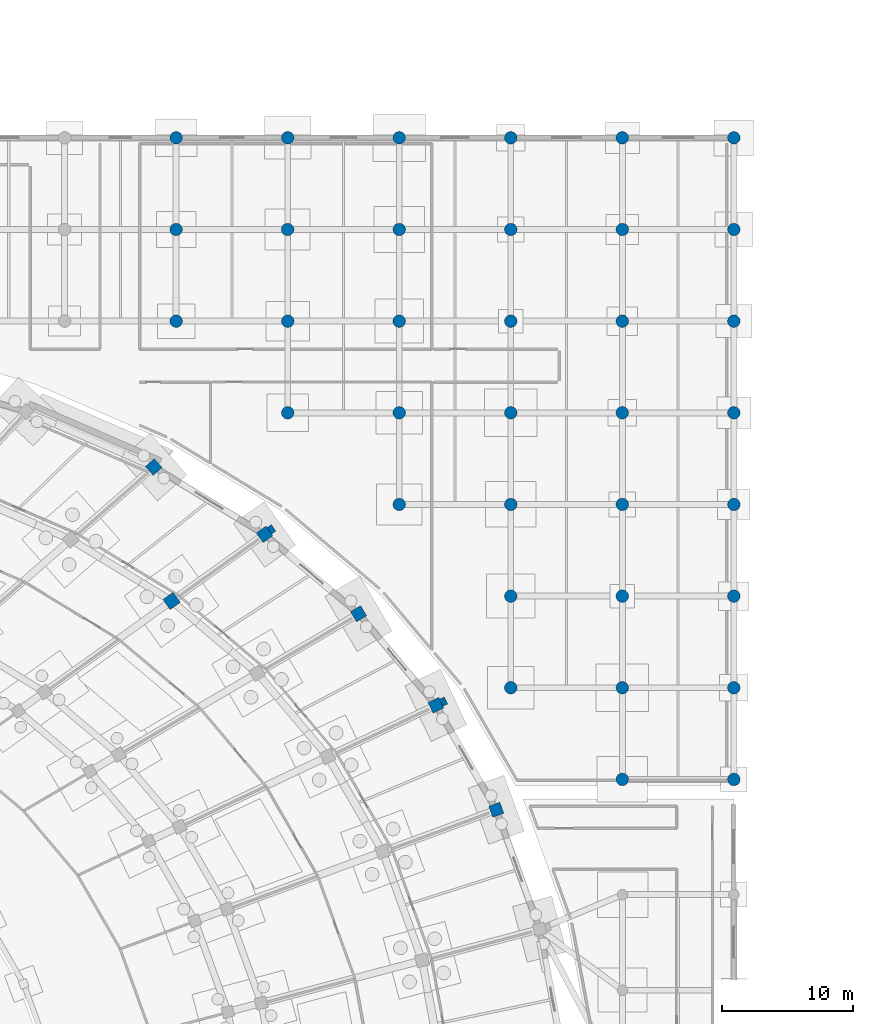
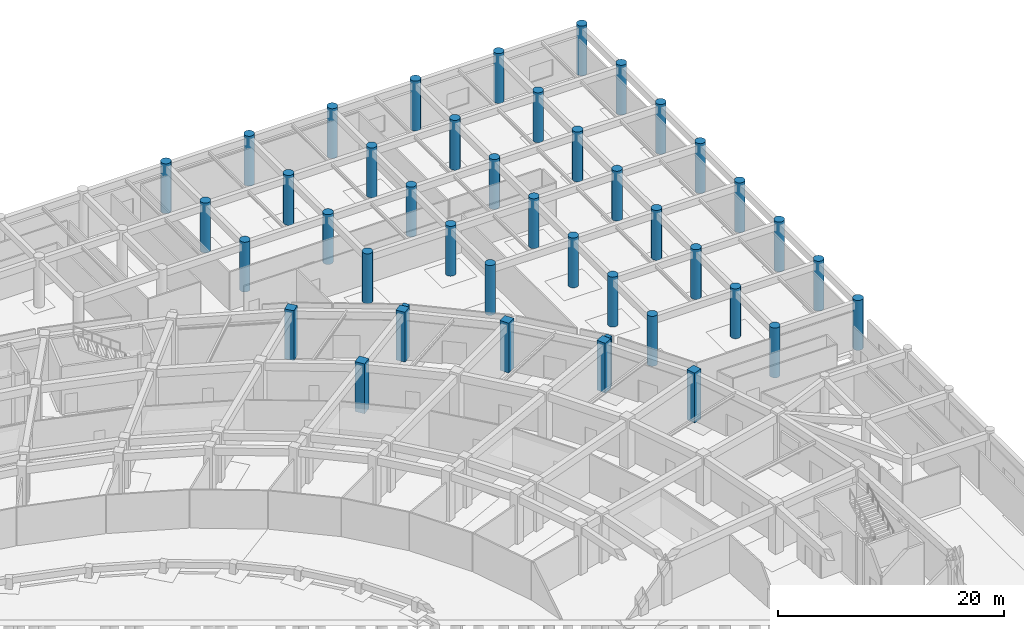
# One storey, part 24 of 88: 43 columns.
"""IFC4 building model written with IfcOpenShell, lengths in metres."""

import ifcopenshell
import ifcopenshell.guid

model = None  # the IFC model being written
_history = None  # IfcOwnerHistory: only IFC2X3 demands one
_inside = {}  # id of a spatial element -> (the spatial element, [elements in it])
_under = {}  # id of a project, library or spatial element -> (it, [spatial elements below it])
_declared = {}  # id of a project -> (the project, [libraries it declares])
_typed = {}  # id of a type object -> (the type object, [elements of that type])
_made_of = {}  # id of a material, layer set ... -> (it, [elements and type objects made of it])


def new_model(schema):
    """Start an empty IFC model of exactly this schema.

    Asked for "IFC4X3", IfcOpenShell would pick the latest addendum, in which some entities
    have other attributes; the version numbers below select the first issue.
    IFC2X3 requires an IfcOwnerHistory on every rooted entity: one is made here for all.
    """
    global model, _history
    if schema == "IFC4X3":
        model = ifcopenshell.file(schema_version=(4, 3, 0, 0))
    else:
        model = ifcopenshell.file(schema=schema)
    _inside.clear()
    _under.clear()
    _declared.clear()
    _typed.clear()
    _made_of.clear()
    _history = None
    if model.schema == "IFC2X3":
        org = make("IfcOrganization", Name="unknown")
        user = make(
            "IfcPersonAndOrganization",
            ThePerson=make("IfcPerson", FamilyName="unknown"),
            TheOrganization=org,
        )
        app = make(
            "IfcApplication",
            ApplicationDeveloper=org,
            Version="unknown",
            ApplicationFullName="unknown",
            ApplicationIdentifier="unknown",
        )
        _history = make(
            "IfcOwnerHistory",
            OwningUser=user,
            OwningApplication=app,
            ChangeAction="ADDED",
            CreationDate=0,
        )
    return model


def make(cls, **values):
    """One entity of the class cls with the attributes given. An attribute that is None is left unset."""
    return model.create_entity(
        cls, **{name: value for name, value in values.items() if value is not None}
    )


def rooted(cls, **values):
    """An entity with a GlobalId (a new one), such as an element, a storey or a relation."""
    return make(cls, GlobalId=ifcopenshell.guid.new(), OwnerHistory=_history, **values)


def si_unit(unit_type, name, prefix=None):
    """IfcSIUnit, for example si_unit("LENGTHUNIT", "METRE", prefix="MILLI")."""
    return make("IfcSIUnit", UnitType=unit_type, Prefix=prefix, Name=name)


def assignment(units):
    """IfcUnitAssignment: the units of a project."""
    return None if units is None else make("IfcUnitAssignment", Units=units)


def point(xyz):
    """IfcCartesianPoint."""
    return None if xyz is None else make("IfcCartesianPoint", Coordinates=xyz)


def direction(xyz):
    """IfcDirection."""
    return None if xyz is None else make("IfcDirection", DirectionRatios=xyz)


def frame(location, z_axis=None, x_axis=None):
    """IfcAxis2Placement3D, a coordinate frame: its origin and axes. An axis left out is left unset."""
    return make(
        "IfcAxis2Placement3D",
        Location=point(location),
        Axis=direction(z_axis),
        RefDirection=direction(x_axis),
    )


def frame_2d(location, x_axis=None):
    """IfcAxis2Placement2D, a coordinate frame in the plane: its origin and x axis."""
    return make(
        "IfcAxis2Placement2D", Location=point(location), RefDirection=direction(x_axis)
    )


def origin():
    """The frame at (0, 0, 0) with its axes left unset."""
    return frame((0.0, 0.0, 0.0))


def origin_2d():
    """The frame at (0, 0) in the plane with its x axis left unset."""
    return frame_2d((0.0, 0.0))


def place(relative_to, where):
    """IfcLocalPlacement: puts the frame where relative to a parent placement (None: the world)."""
    return make(
        "IfcLocalPlacement", PlacementRelTo=relative_to, RelativePlacement=where
    )


def context(
    kind, dimensions, precision=None, world=None, true_north=None, identifier=None
):
    """IfcGeometricRepresentationContext, for example the 3D "Model" context."""
    return make(
        "IfcGeometricRepresentationContext",
        ContextIdentifier=identifier,
        ContextType=kind,
        CoordinateSpaceDimension=dimensions,
        Precision=precision,
        WorldCoordinateSystem=world,
        TrueNorth=true_north,
    )


def subcontext(parent, identifier, kind, view, scale=None):
    """IfcGeometricRepresentationSubContext, for example "Body" below "Model"."""
    return make(
        "IfcGeometricRepresentationSubContext",
        ContextIdentifier=identifier,
        ContextType=kind,
        ParentContext=parent,
        TargetScale=scale,
        TargetView=view,
    )


def project(units=None, contexts=None):
    """IfcProject with its units and contexts."""
    return rooted(
        "IfcProject",
        Name="project",
        RepresentationContexts=contexts,
        UnitsInContext=assignment(units),
    )


def spatial(cls, under=None, at=None, **own):
    """A site, building, storey or space (cls), placed at a placement, below another one or the project."""
    s = rooted(cls, ObjectPlacement=at, **own)
    if under is not None:
        _under.setdefault(under.id(), (under, []))[1].append(s)
    return s


def profile(cls, at=None, kind="AREA", **sizes):
    """A parametric profile (cls). Its sizes go by their IFC names, for example OverallWidth=200.0."""
    return make(cls, ProfileType=kind, Position=at, **sizes)


def rectangle(**sizes):
    """IfcRectangleProfileDef."""
    return profile("IfcRectangleProfileDef", **sizes)


def circle(**sizes):
    """IfcCircleProfileDef."""
    return profile("IfcCircleProfileDef", **sizes)


def extrude(swept, where, along, depth):
    """IfcExtrudedAreaSolid: the profile swept, set in the frame where, extruded along a direction by depth."""
    return make(
        "IfcExtrudedAreaSolid",
        SweptArea=swept,
        Position=where,
        ExtrudedDirection=direction(along),
        Depth=depth,
    )


def shape(context_of_items, identifier, shape_type, items):
    """IfcShapeRepresentation: the items that make up one representation, for example the "Body"."""
    return make(
        "IfcShapeRepresentation",
        ContextOfItems=context_of_items,
        RepresentationIdentifier=identifier,
        RepresentationType=shape_type,
        Items=items,
    )


def material(Name=None, Category=None):
    """IfcMaterial."""
    return make("IfcMaterial", Name=Name, Category=Category)


def material_profile(
    of_material, cross_section, Name=None, Category=None, Priority=None
):
    """IfcMaterialProfile: a cross section and its material."""
    return make(
        "IfcMaterialProfile",
        Name=Name,
        Material=of_material,
        Profile=cross_section,
        Priority=Priority,
        Category=Category,
    )


def profile_set(profiles, Name=None, composite=None):
    """IfcMaterialProfileSet."""
    return make(
        "IfcMaterialProfileSet",
        Name=Name,
        MaterialProfiles=profiles,
        CompositeProfile=composite,
    )


def made_of(thing, what):
    """Note that an element or type object is made of a material, layer set ...; save() writes the relation."""
    if what is not None:
        _made_of.setdefault(what.id(), (what, []))[1].append(thing)
    return thing


def type_object(cls, material=None, **own):
    """A type object (cls), such as IfcWallType, which elements share."""
    return made_of(rooted(cls, **own), material)


def element(
    cls,
    number,
    at=None,
    inside=None,
    cuts=None,
    type_object=None,
    material=None,
    context=None,
    identifier="Body",
    shape_type=None,
    held_by="IfcProductDefinitionShape",
    body=None,
    shapes=None,
    **own,
):
    """One element of the class cls, such as IfcWall. Its Tag is "e" and its number.

    at: its placement. inside: the storey or other place that contains it. cuts: it is an
    opening in that element (IfcRelVoidsElement). A single representation is given by context,
    identifier, shape_type and body (its items); several are given by shapes. held_by: the class
    of the entity that holds the representations. save() writes the other relations.
    """
    e = rooted(cls, Tag="e%d" % number, ObjectPlacement=at, **own)
    if body is not None:
        shapes = [shape(context, identifier, shape_type, body)]
    if shapes is not None:
        e.Representation = make(held_by, Representations=shapes)
    if inside is not None:
        _inside.setdefault(inside.id(), (inside, []))[1].append(e)
    if cuts is not None:
        rooted(
            "IfcRelVoidsElement", RelatingBuildingElement=cuts, RelatedOpeningElement=e
        )
    if type_object is not None:
        _typed.setdefault(type_object.id(), (type_object, []))[1].append(e)
    return made_of(e, material)


def aggregate(whole, parts):
    """IfcRelAggregates: a whole, such as a stair, and the parts it consists of."""
    return rooted("IfcRelAggregates", RelatingObject=whole, RelatedObjects=parts)


def save(model, path):
    """Write the relations noted so far, then the file.

    IfcRelAggregates (storeys below a building ...), IfcRelContainedInSpatialStructure (elements
    in a storey), IfcRelDefinesByType, IfcRelAssociatesMaterial and IfcRelDeclares: one each for
    every whole, place, type object, material and project.
    """
    for whole, parts in _under.values():
        aggregate(whole, parts)
    for where, things in _inside.values():
        rooted(
            "IfcRelContainedInSpatialStructure",
            RelatedElements=things,
            RelatingStructure=where,
        )
    for kind, things in _typed.values():
        rooted("IfcRelDefinesByType", RelatedObjects=things, RelatingType=kind)
    for what, things in _made_of.values():
        rooted("IfcRelAssociatesMaterial", RelatedObjects=things, RelatingMaterial=what)
    for by, libraries in _declared.values():
        rooted("IfcRelDeclares", RelatingContext=by, RelatedDefinitions=libraries)
    model.write(path)


model = new_model("IFC4")

# Units and contexts
model_context = context("Model", 3, precision=1e-05, world=origin(), true_north=direction((0.0, 1.0)))
body_context = subcontext(model_context, "Body", "Model", "MODEL_VIEW")
ifc_project = project(units=[si_unit("LENGTHUNIT", "METRE"), si_unit("AREAUNIT", "SQUARE_METRE"), si_unit("VOLUMEUNIT", "CUBIC_METRE"), si_unit("PLANEANGLEUNIT", "RADIAN"), si_unit("MASSUNIT", "GRAM", prefix="KILO")], contexts=[model_context])

# Site, building, storey
site_placement = place(None, origin())
site = spatial("IfcSite", under=ifc_project, at=site_placement, CompositionType="ELEMENT")
building_placement = place(site_placement, origin())
building = spatial("IfcBuilding", under=site, at=building_placement, Name="Mphavela Belvedere Stadium", CompositionType="ELEMENT")
storey_placement = place(building_placement, origin())
storey = spatial("IfcBuildingStorey", under=building, at=storey_placement, Name="L00", CompositionType="ELEMENT", Elevation=0.0)

# Columns
ifc_material_1 = material(Name="Concrete C40/50", Category="concrete")
ifc_material_profile_1 = material_profile(ifc_material_1, circle(Radius=0.47509765625, at=origin_2d()), Name="COL D950")
ifc_profile_set_1 = profile_set([ifc_material_profile_1], Name="Concrete C40/50")
column_type_1 = type_object("IfcColumnType", Name="COL-DORIC-950", PredefinedType="COLUMN", material=ifc_profile_set_1)
for number, where, z_axis, x_axis, name in (
    (1, (187.406982421875, 160.0, 0.0), (0.0, 0.0, 1.0), (1.0, 0.0, 0.0), "North Mast and Ceremonial End Forecourt classical column L00 23-6"),
    (2, (187.406982421875, 167.0, 0.0), (0.0, 0.0, 1.0), (1.0, 0.0, 0.0), "North Mast and Ceremonial End Forecourt classical column L00 23-7"),
    (3, (187.406982421875, 174.0, 0.0), (0.0, 0.0, 1.0), (1.0, 0.0, 0.0), "North Mast and Ceremonial End Forecourt classical column L00 23-8"),
    (4, (195.926025390625, 153.0, 0.0), (0.0, 0.0, 1.0), (1.0, 0.0, 0.0), "North Mast and Ceremonial End Forecourt classical column L00 24-5"),
    (5, (195.926025390625, 160.0, 0.0), (0.0, 0.0, 1.0), (1.0, 0.0, 0.0), "North Mast and Ceremonial End Forecourt classical column L00 24-6"),
    (6, (195.926025390625, 167.0, 0.0), (0.0, 0.0, 1.0), (1.0, 0.0, 0.0), "North Mast and Ceremonial End Forecourt classical column L00 24-7"),
    (7, (195.926025390625, 174.0, 0.0), (0.0, 0.0, 1.0), (1.0, 0.0, 0.0), "North Mast and Ceremonial End Forecourt classical column L00 24-8"),
    (8, (204.444091796875, 146.0, 0.0), (0.0, 0.0, 1.0), (1.0, 0.0, 0.0), "North Mast and Ceremonial End Forecourt classical column L00 25-4"),
    (9, (204.444091796875, 153.0, 0.0), (0.0, 0.0, 1.0), (1.0, 0.0, 0.0), "North Mast and Ceremonial End Forecourt classical column L00 25-5"),
    (10, (204.444091796875, 160.0, 0.0), (0.0, 0.0, 1.0), (1.0, 0.0, 0.0), "North Mast and Ceremonial End Forecourt classical column L00 25-6"),
    (11, (204.444091796875, 167.0, 0.0), (0.0, 0.0, 1.0), (1.0, 0.0, 0.0), "North Mast and Ceremonial End Forecourt classical column L00 25-7"),
    (12, (204.444091796875, 174.0, 0.0), (0.0, 0.0, 1.0), (1.0, 0.0, 0.0), "North Mast and Ceremonial End Forecourt classical column L00 25-8"),
    (13, (212.962890625, 132.0, 0.0), (0.0, 0.0, 1.0), (1.0, 0.0, 0.0), "North Mast and Ceremonial End Forecourt classical column L00 26-2"),
    (14, (212.962890625, 139.0, 0.0), (0.0, 0.0, 1.0), (1.0, 0.0, 0.0), "North Mast and Ceremonial End Forecourt classical column L00 26-3"),
    (15, (212.962890625, 146.0, 0.0), (0.0, 0.0, 1.0), (1.0, 0.0, 0.0), "North Mast and Ceremonial End Forecourt classical column L00 26-4"),
    (16, (212.962890625, 153.0, 0.0), (0.0, 0.0, 1.0), (1.0, 0.0, 0.0), "North Mast and Ceremonial End Forecourt classical column L00 26-5"),
    (17, (212.962890625, 160.0, 0.0), (0.0, 0.0, 1.0), (1.0, 0.0, 0.0), "North Mast and Ceremonial End Forecourt classical column L00 26-6"),
    (18, (212.962890625, 167.0, 0.0), (0.0, 0.0, 1.0), (1.0, 0.0, 0.0), "North Mast and Ceremonial End Forecourt classical column L00 26-7"),
    (19, (212.962890625, 174.0, 0.0), (0.0, 0.0, 1.0), (1.0, 0.0, 0.0), "North Mast and Ceremonial End Forecourt classical column L00 26-8"),
    (20, (221.48095703125, 125.0, 0.0), (0.0, 0.0, 1.0), (1.0, 0.0, 0.0), "North Mast and Ceremonial End Forecourt classical column L00 27-1"),
    (21, (221.48095703125, 132.0, 0.0), (0.0, 0.0, 1.0), (1.0, 0.0, 0.0), "North Mast and Ceremonial End Forecourt classical column L00 27-2"),
    (22, (221.48095703125, 139.0, 0.0), (0.0, 0.0, 1.0), (1.0, 0.0, 0.0), "North Mast and Ceremonial End Forecourt classical column L00 27-3"),
    (23, (221.48095703125, 146.0, 0.0), (0.0, 0.0, 1.0), (1.0, 0.0, 0.0), "North Mast and Ceremonial End Forecourt classical column L00 27-4"),
    (24, (221.48095703125, 153.0, 0.0), (0.0, 0.0, 1.0), (1.0, 0.0, 0.0), "North Mast and Ceremonial End Forecourt classical column L00 27-5"),
    (25, (221.48095703125, 160.0, 0.0), (0.0, 0.0, 1.0), (1.0, 0.0, 0.0), "North Mast and Ceremonial End Forecourt classical column L00 27-6"),
    (26, (221.48095703125, 167.0, 0.0), (0.0, 0.0, 1.0), (1.0, 0.0, 0.0), "North Mast and Ceremonial End Forecourt classical column L00 27-7"),
    (27, (221.48095703125, 174.0, 0.0), (0.0, 0.0, 1.0), (1.0, 0.0, 0.0), "North Mast and Ceremonial End Forecourt classical column L00 27-8"),
    (28, (230.0, 125.0, 0.0), (0.0, 0.0, 1.0), (1.0, 0.0, 0.0), "North Mast and Ceremonial End Forecourt classical column L00 28-1"),
    (29, (230.0, 132.0, 0.0), (0.0, 0.0, 1.0), (1.0, 0.0, 0.0), "North Mast and Ceremonial End Forecourt classical column L00 28-2"),
    (30, (230.0, 139.0, 0.0), (0.0, 0.0, 1.0), (1.0, 0.0, 0.0), "North Mast and Ceremonial End Forecourt classical column L00 28-3"),
    (31, (230.0, 146.0, 0.0), (0.0, 0.0, 1.0), (1.0, 0.0, 0.0), "North Mast and Ceremonial End Forecourt classical column L00 28-4"),
    (32, (230.0, 153.0, 0.0), (0.0, 0.0, 1.0), (1.0, 0.0, 0.0), "North Mast and Ceremonial End Forecourt classical column L00 28-5"),
    (33, (230.0, 160.0, 0.0), (0.0, 0.0, 1.0), (1.0, 0.0, 0.0), "North Mast and Ceremonial End Forecourt classical column L00 28-6"),
    (34, (230.0, 167.0, 0.0), (0.0, 0.0, 1.0), (1.0, 0.0, 0.0), "North Mast and Ceremonial End Forecourt classical column L00 28-7"),
    (35, (230.0, 174.0, 0.0), (0.0, 0.0, 1.0), (1.0, 0.0, 0.0), "North Mast and Ceremonial End Forecourt classical column L00 28-8"),
):
    element("IfcColumn", number, at=place(storey_placement, frame(where, z_axis=z_axis, x_axis=x_axis)), inside=storey, type_object=column_type_1, Name=name, PredefinedType="COLUMN", context=body_context, shape_type="SweptSolid", body=[
        extrude(circle(Radius=0.47509765625, at=origin_2d()), origin(), (0.0, 0.0, 1.0), 5.39990234375),
    ])
ifc_material_2 = material(Name="Concrete C40/50", Category="concrete")
ifc_material_profile_2 = material_profile(ifc_material_2, rectangle(XDim=0.89990234375, YDim=0.89990234375, at=origin_2d()), Name="RC 900x900")
ifc_profile_set_2 = profile_set([ifc_material_profile_2], Name="Concrete C40/50")
column_type_2 = type_object("IfcColumnType", Name="COL-RC900", PredefinedType="COLUMN", material=ifc_profile_set_2)
for number, where, z_axis, x_axis, name in (
    (36, (211.856201171875, 122.682373046875, 0.0), (0.0, 0.0, 1.0), (0.938372433776, 0.34562577382, 0.0), "Outer colonnade column L00 R4-04"),
    (37, (207.242431640625, 130.66162109375, 0.0), (0.0, 0.0, 1.0), (0.903858661687, 0.4278311813, 0.0), "Outer colonnade column L00 R4-05"),
    (38, (201.33837890625, 137.653564453125, 0.0), (0.0, 0.0, 1.0), (0.862513669207, 0.506033764121, 0.0), "Outer colonnade column L00 R4-06"),
    (39, (194.155517578125, 143.714599609375, 0.0), (0.0, 0.0, 1.0), (0.812897512265, 0.582406760395, 0.0), "Outer colonnade column L00 R4-07"),
    (40, (185.6962890625, 148.86083984375, 0.0), (0.0, 0.0, 1.0), (0.752529860433, 0.658558128912, 0.0), "Outer colonnade column L00 R4-08"),
):
    element("IfcColumn", number, at=place(storey_placement, frame(where, z_axis=z_axis, x_axis=x_axis)), inside=storey, type_object=column_type_2, Name=name, PredefinedType="COLUMN", context=body_context, shape_type="SweptSolid", body=[
        extrude(rectangle(XDim=0.89990234375, YDim=0.89990234375, at=origin_2d()), origin(), (0.0, 0.0, 1.0), 5.39990234375),
    ])
ifc_material_3 = material(Name="Concrete C40/50", Category="concrete")
ifc_material_profile_3 = material_profile(ifc_material_3, rectangle(XDim=0.949951171875, YDim=0.949951171875, at=origin_2d()), Name="RC 950x950")
ifc_profile_set_3 = profile_set([ifc_material_profile_3], Name="Concrete C40/50")
column_type_3 = type_object("IfcColumnType", Name="COL-RC950", PredefinedType="COLUMN", material=ifc_profile_set_3)
column_placement = place(storey_placement, frame((187.061279296875, 138.631591796875, 0.0), z_axis=(0.0, 0.0, 1.0), x_axis=(0.812897512265, 0.582406760395, 0.0)))
element("IfcColumn", 41, at=column_placement, inside=storey, type_object=column_type_3, Name="Main bowl column L00 R3-07", PredefinedType="COLUMN", context=body_context, shape_type="SweptSolid", body=[
    extrude(rectangle(XDim=0.949951171875, YDim=0.949951171875, at=origin_2d()), origin(), (0.0, 0.0, 1.0), 5.39990234375),
])
ifc_material_4 = material(Name="Concrete C40/50", Category="concrete")
ifc_material_profile_4 = material_profile(ifc_material_4, rectangle(XDim=0.60009765625, YDim=0.39990234375, at=origin_2d()), Name="PIL 600x400")
ifc_profile_set_4 = profile_set([ifc_material_profile_4], Name="Concrete C40/50")
column_type_4 = type_object("IfcColumnType", Name="PIL-FLUTED-600", PredefinedType="PILASTER", material=ifc_profile_set_4)
for number, where, z_axis, x_axis, name in (
    (42, (207.832763671875, 130.94091796875, 0.0), (0.0, 0.0, 1.0), (-0.4278311813, 0.903858661687, 0.0), "Fluted classical pilaster L00-05"),
    (43, (194.686279296875, 144.0947265625, 0.0), (0.0, 0.0, 1.0), (-0.582406760395, 0.812897512265, 0.0), "Fluted classical pilaster L00-07"),
):
    element("IfcColumn", number, at=place(storey_placement, frame(where, z_axis=z_axis, x_axis=x_axis)), inside=storey, type_object=column_type_4, Name=name, PredefinedType="PILASTER", context=body_context, shape_type="SweptSolid", body=[
        extrude(rectangle(XDim=0.60009765625, YDim=0.39990234375, at=origin_2d()), origin(), (0.0, 0.0, 1.0), 5.39990234375),
    ])

save(model, "model.ifc")
